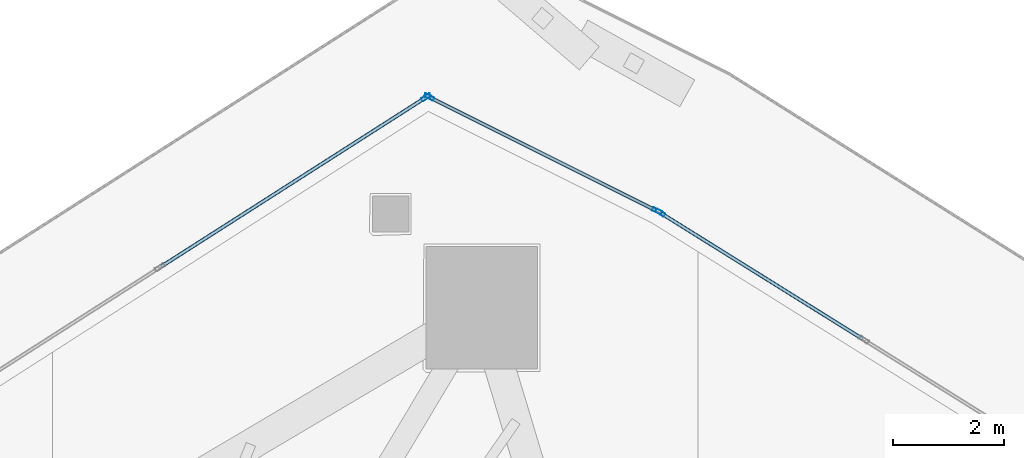
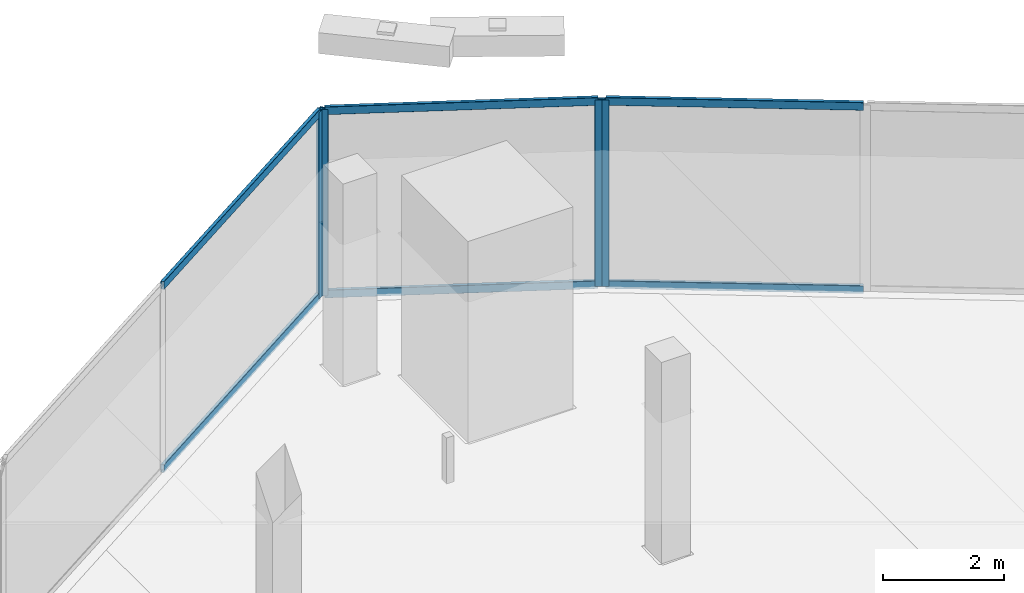
# One storey, part 21 of 36: 10 members, 3 elements without a shape of their own.
"""IFC4 building model written with IfcOpenShell, lengths in metres."""

from ifc_helpers import new_model, si_unit, direction, frame, origin, origin_2d, place, context, subcontext, project, spatial, hollow_rectangle, extrude, material, layer, layer_set, material_profile, profile_set, type_object, element, aggregate, save


model = new_model("IFC4")

# Units and contexts
model_context = context("Model", 3, precision=1e-05, world=origin(), true_north=direction((0.0, 1.0)))
body_context = subcontext(model_context, "Body", "Model", "MODEL_VIEW")
ifc_project = project(units=[si_unit("LENGTHUNIT", "METRE"), si_unit("AREAUNIT", "SQUARE_METRE"), si_unit("VOLUMEUNIT", "CUBIC_METRE"), si_unit("PLANEANGLEUNIT", "RADIAN"), si_unit("MASSUNIT", "GRAM", prefix="KILO")], contexts=[model_context])

# Site, building, storey
site_placement = place(None, origin())
site = spatial("IfcSite", under=ifc_project, at=site_placement, CompositionType="ELEMENT")
building_placement = place(site_placement, origin())
building = spatial("IfcBuilding", under=site, at=building_placement, Name="Qorvath Tower", CompositionType="ELEMENT")
storey_placement = place(building_placement, frame((0.0, 0.0, 170.550048828125)))
storey = spatial("IfcBuildingStorey", under=building, at=storey_placement, Name="L39", CompositionType="ELEMENT", Elevation=170.550048828125)

# Curtain wall, member
ifc_material_1 = material(Name="Anodised aluminium and triple low-E glass", Category="aluminium")
ifc_layer = layer(ifc_material_1, 0.179931640625)
ifc_layer_set = layer_set([ifc_layer], Name="CW-SYS-3")
curtain_wall_type = type_object("IfcCurtainWallType", Name="CW-SYS-3", PredefinedType="NOTDEFINED", material=ifc_layer_set)
curtain_wall_1_placement = place(storey_placement, origin())
curtain_wall_1 = element("IfcCurtainWall", 1, at=curtain_wall_1_placement, inside=storey, type_object=curtain_wall_type, Name="Curtain Wall CW-3 CW-T-L39-14.1", PredefinedType="NOTDEFINED")
ifc_material_2 = material(Name="Anodised aluminium 6063-T6", Category="aluminium")
ifc_material_profile_1 = material_profile(ifc_material_2, hollow_rectangle(XDim=0.06494140625, YDim=0.179931640625, WallThickness=0.00341796875, InnerFilletRadius=0.00341796875, OuterFilletRadius=0.007080078125, at=origin_2d()), Name="CWM 180x65")
ifc_profile_set_1 = profile_set([ifc_material_profile_1], Name="Anodised aluminium 6063-T6")
member_type_1 = type_object("IfcMemberType", Name="CWM-180", PredefinedType="MULLION", material=ifc_profile_set_1)
member_1_placement = place(storey_placement, frame((-12.14208984375, 26.951904296875, 0.0), z_axis=(0.0, 0.0, 1.0), x_axis=(-0.529328282744, -0.848417096178, 0.0)))
member_1 = element("IfcMember", 2, at=member_1_placement, type_object=member_type_1, Name="CW-3 mullion 3", PredefinedType="MULLION", context=body_context, shape_type="SweptSolid", body=[
    extrude(hollow_rectangle(XDim=0.06494140625, YDim=0.179931640625, WallThickness=0.00341796875, InnerFilletRadius=0.00341796875, OuterFilletRadius=0.007080078125, at=origin_2d()), origin(), (0.0, 0.0, 1.0), 3.75),
])

# Curtain wall, members
curtain_wall_2_placement = place(storey_placement, origin())
curtain_wall_2 = element("IfcCurtainWall", 3, at=curtain_wall_2_placement, inside=storey, type_object=curtain_wall_type, Name="Curtain Wall CW-3 CW-T-L39-15.1", PredefinedType="NOTDEFINED")
member_2_placement = place(storey_placement, frame((-12.19873046875, 26.983642578125, 0.0), z_axis=(0.0, 0.0, 1.0), x_axis=(-0.447222218703, -0.894422879346, 0.0)))
member_2 = element("IfcMember", 4, at=member_2_placement, type_object=member_type_1, Name="CW-3 mullion 1", PredefinedType="MULLION", context=body_context, shape_type="SweptSolid", body=[
    extrude(hollow_rectangle(XDim=0.06494140625, YDim=0.179931640625, WallThickness=0.00341796875, InnerFilletRadius=0.00341796875, OuterFilletRadius=0.007080078125, at=origin_2d()), origin(), (0.0, 0.0, 1.0), 3.75),
])
member_3_placement = place(storey_placement, frame((-16.28955078125, 29.029052734375, 0.0), z_axis=(0.0, 0.0, 1.0), x_axis=(-0.447222218703, -0.894422879346, 0.0)))
member_3 = element("IfcMember", 5, at=member_3_placement, type_object=member_type_1, Name="CW-3 mullion 2", PredefinedType="MULLION", context=body_context, shape_type="SweptSolid", body=[
    extrude(hollow_rectangle(XDim=0.06494140625, YDim=0.179931640625, WallThickness=0.00341796875, InnerFilletRadius=0.00341796875, OuterFilletRadius=0.007080078125, at=origin_2d()), origin(), (0.0, 0.0, 1.0), 3.75),
])

# Curtain wall, member
curtain_wall_3_placement = place(storey_placement, origin())
curtain_wall_3 = element("IfcCurtainWall", 6, at=curtain_wall_3_placement, inside=storey, type_object=curtain_wall_type, Name="Curtain Wall CW-3 CW-T-L39-16.1", PredefinedType="NOTDEFINED")
member_4_placement = place(storey_placement, frame((-16.345947265625, 29.026123046875, 0.0), z_axis=(0.0, 0.0, 1.0), x_axis=(0.53853443311, -0.842603503645, 0.0)))
member_4 = element("IfcMember", 7, at=member_4_placement, type_object=member_type_1, Name="CW-3 mullion 1", PredefinedType="MULLION", context=body_context, shape_type="SweptSolid", body=[
    extrude(hollow_rectangle(XDim=0.06494140625, YDim=0.179931640625, WallThickness=0.00341796875, InnerFilletRadius=0.00341796875, OuterFilletRadius=0.007080078125, at=origin_2d()), origin(), (0.0, 0.0, 1.0), 3.75),
])

# Member
ifc_material_3 = material(Name="Anodised aluminium 6063-T6", Category="aluminium")
ifc_material_profile_2 = material_profile(ifc_material_3, hollow_rectangle(XDim=0.06494140625, YDim=0.159912109375, WallThickness=0.00341796875, InnerFilletRadius=0.00341796875, OuterFilletRadius=0.007080078125, at=origin_2d()), Name="CWT 160x65")
ifc_profile_set_2 = profile_set([ifc_material_profile_2], Name="Anodised aluminium 6063-T6")
member_type_2 = type_object("IfcMemberType", Name="CWT-160", PredefinedType="USERDEFINED", material=ifc_profile_set_2)
member_5_placement = place(storey_placement, frame((-8.511962890625, 24.687255859375, 0.032470703125), z_axis=(-0.848424411171, 0.529316557959, 0.0), x_axis=(-0.529316557959, -0.848424411171, 0.0)))
member_5 = element("IfcMember", 8, at=member_5_placement, type_object=member_type_2, Name="CW-3 transom 2.1", ObjectType="TRANSOM", PredefinedType="USERDEFINED", context=body_context, shape_type="SweptSolid", body=[
    extrude(hollow_rectangle(XDim=0.06494140625, YDim=0.159912109375, WallThickness=0.00341796875, InnerFilletRadius=0.00341796875, OuterFilletRadius=0.007080078125, at=origin_2d()), origin(), (0.0, 0.0, 1.0), 4.24609375),
])

member_6_placement = place(storey_placement, frame((-8.511962890625, 24.687255859375, 3.717529296875), z_axis=(-0.848424411171, 0.529316557959, 0.0), x_axis=(-0.529316557959, -0.848424411171, 0.0)))
member_6 = element("IfcMember", 9, at=member_6_placement, type_object=member_type_2, Name="CW-3 transom 2.2", ObjectType="TRANSOM", PredefinedType="USERDEFINED", context=body_context, shape_type="SweptSolid", body=[
    extrude(hollow_rectangle(XDim=0.06494140625, YDim=0.159912109375, WallThickness=0.00341796875, InnerFilletRadius=0.00341796875, OuterFilletRadius=0.007080078125, at=origin_2d()), origin(), (0.0, 0.0, 1.0), 4.24609375),
])

aggregate(curtain_wall_1, [member_1, member_5, member_6])

member_7_placement = place(storey_placement, frame((-12.227783203125, 26.998291015625, 0.032470703125), z_axis=(-0.894427191, 0.4472135955, 0.0), x_axis=(-0.4472135955, -0.894427191, 0.0)))
member_7 = element("IfcMember", 10, at=member_7_placement, type_object=member_type_2, Name="CW-3 transom 1.1", ObjectType="TRANSOM", PredefinedType="USERDEFINED", context=body_context, shape_type="SweptSolid", body=[
    extrude(hollow_rectangle(XDim=0.06494140625, YDim=0.159912109375, WallThickness=0.00341796875, InnerFilletRadius=0.00341796875, OuterFilletRadius=0.007080078125, at=origin_2d()), origin(), (0.0, 0.0, 1.0), 4.5087890625),
])

member_8_placement = place(storey_placement, frame((-12.227783203125, 26.998291015625, 3.717529296875), z_axis=(-0.894427191, 0.4472135955, 0.0), x_axis=(-0.4472135955, -0.894427191, 0.0)))
member_8 = element("IfcMember", 11, at=member_8_placement, type_object=member_type_2, Name="CW-3 transom 1.2", ObjectType="TRANSOM", PredefinedType="USERDEFINED", context=body_context, shape_type="SweptSolid", body=[
    extrude(hollow_rectangle(XDim=0.06494140625, YDim=0.159912109375, WallThickness=0.00341796875, InnerFilletRadius=0.00341796875, OuterFilletRadius=0.007080078125, at=origin_2d()), origin(), (0.0, 0.0, 1.0), 4.5087890625),
])

aggregate(curtain_wall_2, [member_2, member_3, member_7, member_8])

member_9_placement = place(storey_placement, frame((-16.373291015625, 29.0087890625, 0.032470703125), z_axis=(-0.842596345477, -0.538545632783, 0.0), x_axis=(0.538545632783, -0.842596345477, 0.0)))
member_9 = element("IfcMember", 12, at=member_9_placement, type_object=member_type_2, Name="CW-3 transom 1.1", ObjectType="TRANSOM", PredefinedType="USERDEFINED", context=body_context, shape_type="SweptSolid", body=[
    extrude(hollow_rectangle(XDim=0.06494140625, YDim=0.159912109375, WallThickness=0.00341796875, InnerFilletRadius=0.00341796875, OuterFilletRadius=0.007080078125, at=origin_2d()), origin(), (0.0, 0.0, 1.0), 5.60546875),
])

member_10_placement = place(storey_placement, frame((-16.373291015625, 29.0087890625, 3.717529296875), z_axis=(-0.842596345477, -0.538545632783, 0.0), x_axis=(0.538545632783, -0.842596345477, 0.0)))
member_10 = element("IfcMember", 13, at=member_10_placement, type_object=member_type_2, Name="CW-3 transom 1.2", ObjectType="TRANSOM", PredefinedType="USERDEFINED", context=body_context, shape_type="SweptSolid", body=[
    extrude(hollow_rectangle(XDim=0.06494140625, YDim=0.159912109375, WallThickness=0.00341796875, InnerFilletRadius=0.00341796875, OuterFilletRadius=0.007080078125, at=origin_2d()), origin(), (0.0, 0.0, 1.0), 5.60546875),
])

aggregate(curtain_wall_3, [member_4, member_9, member_10])

save(model, "model.ifc")
